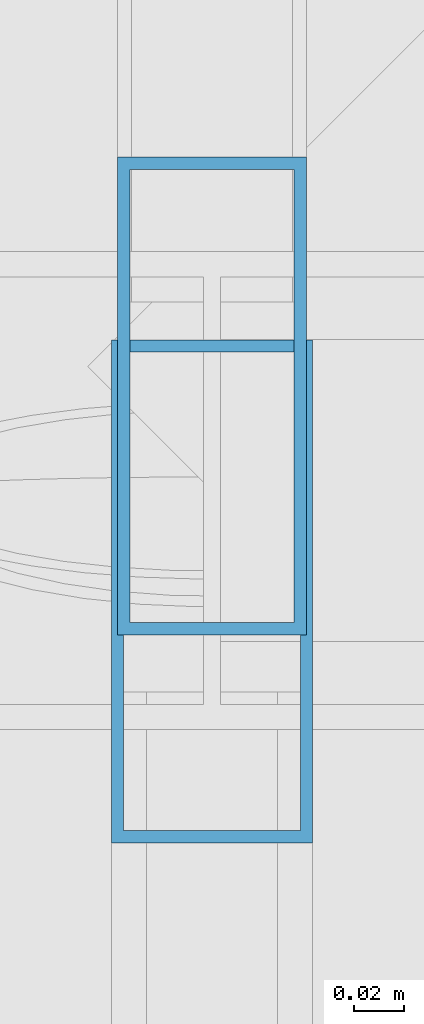
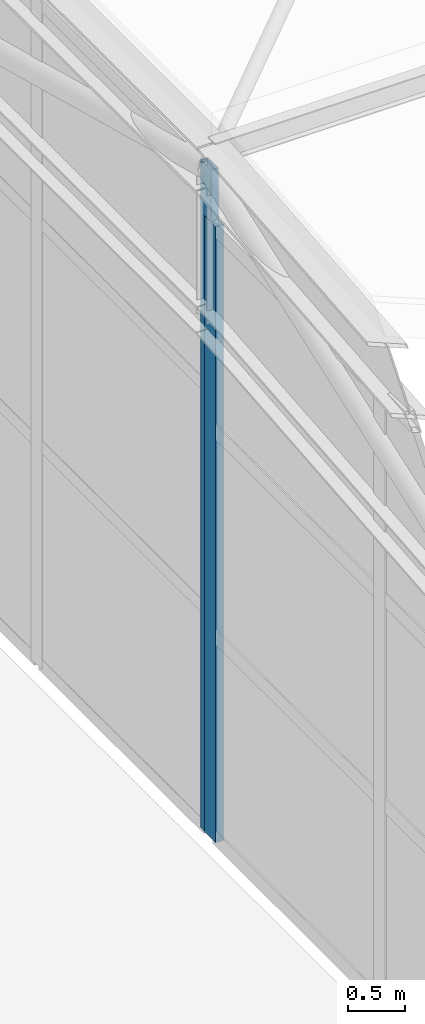
# One storey, part 24 of 204: 2 members, 2 elements without a shape of their own.
"""IFC4 building model written with IfcOpenShell, lengths in metres."""

from ifc_helpers import new_model, si_unit, direction, frame, origin, origin_2d, place, context, subcontext, project, spatial, hollow_rectangle, extrude, material, layer, layer_set, material_profile, profile_set, type_object, element, aggregate, save


model = new_model("IFC4")

# Units and contexts
model_context = context("Model", 3, precision=1e-05, world=origin(), true_north=direction((0.0, 1.0)))
body_context = subcontext(model_context, "Body", "Model", "MODEL_VIEW")
ifc_project = project(units=[si_unit("LENGTHUNIT", "METRE"), si_unit("AREAUNIT", "SQUARE_METRE"), si_unit("VOLUMEUNIT", "CUBIC_METRE"), si_unit("PLANEANGLEUNIT", "RADIAN"), si_unit("MASSUNIT", "GRAM", prefix="KILO")], contexts=[model_context])

# Site, building, storey
site_placement = place(None, origin())
site = spatial("IfcSite", under=ifc_project, at=site_placement, CompositionType="ELEMENT")
building_placement = place(site_placement, origin())
building = spatial("IfcBuilding", under=site, at=building_placement, Name="Zilviju Railside Exhibition Hall", CompositionType="ELEMENT")
storey_placement = place(building_placement, frame((0.0, 0.0, 21.0)))
storey = spatial("IfcBuildingStorey", under=building, at=storey_placement, Name="RF", CompositionType="ELEMENT", Elevation=21.0)

# Curtain wall, member
ifc_material_1 = material(Name="Thermally broken aluminium-steel triple-glazed curtain wall", Category="steel")
ifc_layer_1 = layer(ifc_material_1, 0.179931640625)
ifc_layer_set_1 = layer_set([ifc_layer_1], Name="Thermally broken aluminium-steel triple-glazed curtain wall")
curtain_wall_type_1 = type_object("IfcCurtainWallType", Name="CW-BAY-13", PredefinedType="USERDEFINED", material=ifc_layer_set_1)
curtain_wall_1_placement = place(storey_placement, origin())
curtain_wall_1 = element("IfcCurtainWall", 1, at=curtain_wall_1_placement, inside=storey, type_object=curtain_wall_type_1, Name="South Hall Arch Tympanum Glazing West P5", ObjectType="GLAZED CURTAIN WALL", PredefinedType="USERDEFINED")
ifc_material_2 = material(Name="Thermally broken anodized aluminium mullion", Category="aluminium")
ifc_material_profile_1 = material_profile(ifc_material_2, hollow_rectangle(XDim=0.074951171875, YDim=0.18994140625, WallThickness=0.0048828125, at=origin_2d()), Name="MULLION 190x75x5")
ifc_profile_set_1 = profile_set([ifc_material_profile_1], Name="Thermally broken anodized aluminium mullion")
member_type_1 = type_object("IfcMemberType", Name="CWM-75x190", PredefinedType="MULLION", material=ifc_profile_set_1)
member_1_placement = place(storey_placement, frame((78.0, 24.03759765625, -7.800048828125), z_axis=(0.0, 0.0, 1.0), x_axis=(-1.0, 0.0, 0.0)))
member_1 = element("IfcMember", 2, at=member_1_placement, type_object=member_type_1, Name="CW-13 mullion 1", PredefinedType="MULLION", context=body_context, shape_type="SweptSolid", body=[
    extrude(hollow_rectangle(XDim=0.074951171875, YDim=0.18994140625, WallThickness=0.0048828125, at=origin_2d()), origin(), (0.0, 0.0, 1.0), 7.131103515625),
])
aggregate(curtain_wall_1, [member_1])

ifc_layer_2 = layer(ifc_material_1, 0.179931640625)
ifc_layer_set_2 = layer_set([ifc_layer_2], Name="Thermally broken aluminium-steel triple-glazed curtain wall")
curtain_wall_type_2 = type_object("IfcCurtainWallType", Name="CW-BAY-12", PredefinedType="USERDEFINED", material=ifc_layer_set_2)
curtain_wall_2_placement = place(storey_placement, origin())
curtain_wall_2 = element("IfcCurtainWall", 3, at=curtain_wall_2_placement, inside=storey, type_object=curtain_wall_type_2, Name="South Hall Arch Tympanum Glazing West P4", ObjectType="GLAZED CURTAIN WALL", PredefinedType="USERDEFINED")
ifc_material_profile_2 = material_profile(ifc_material_2, hollow_rectangle(XDim=0.080078125, YDim=0.199951171875, WallThickness=0.0048828125, at=origin_2d()), Name="MULLION 200x80x5")
ifc_profile_set_2 = profile_set([ifc_material_profile_2], Name="Thermally broken anodized aluminium mullion")
member_type_2 = type_object("IfcMemberType", Name="CWM-80x200", PredefinedType="MULLION", material=ifc_profile_set_2)
member_2_placement = place(storey_placement, frame((78.0, 23.9599609375, -7.800048828125), z_axis=(0.0, 0.0, 1.0), x_axis=(-1.0, 0.0, 0.0)))
member_2 = element("IfcMember", 4, at=member_2_placement, type_object=member_type_2, Name="CW-12 mullion 3", PredefinedType="MULLION", context=body_context, shape_type="SweptSolid", body=[
    extrude(hollow_rectangle(XDim=0.080078125, YDim=0.199951171875, WallThickness=0.0048828125, at=origin_2d()), origin(), (0.0, 0.0, 1.0), 6.578125),
])
aggregate(curtain_wall_2, [member_2])

save(model, "model.ifc")
